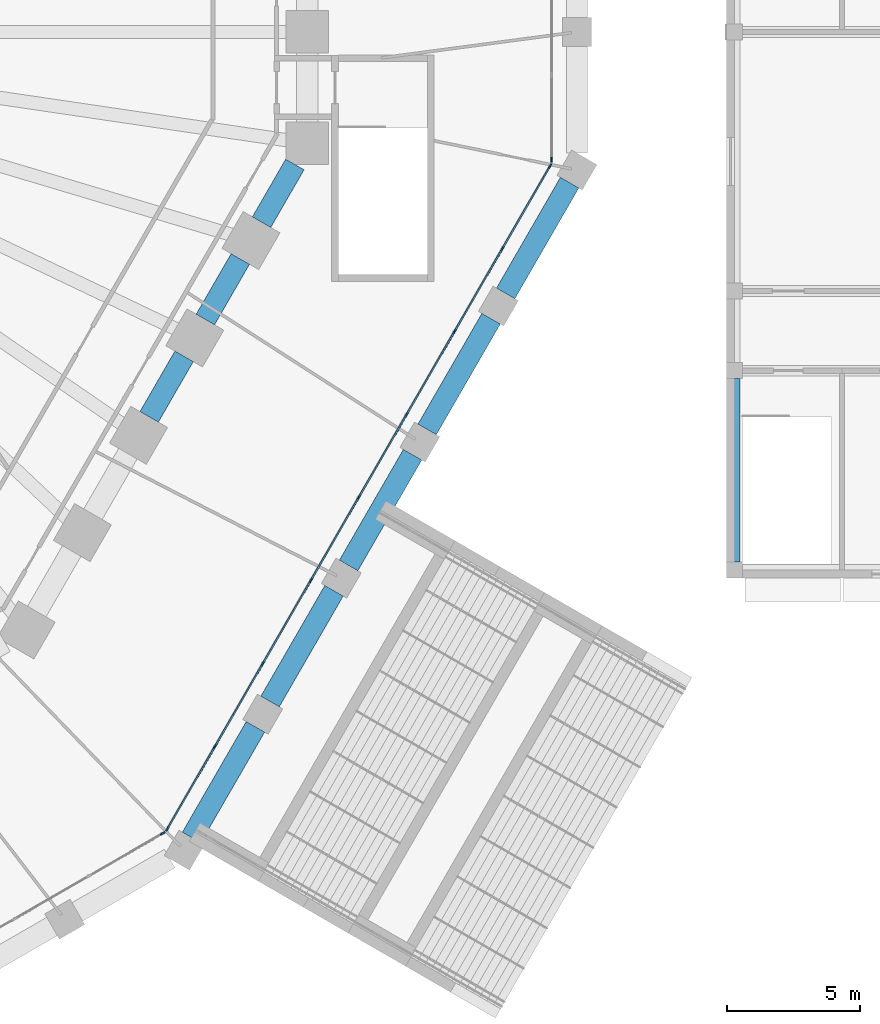
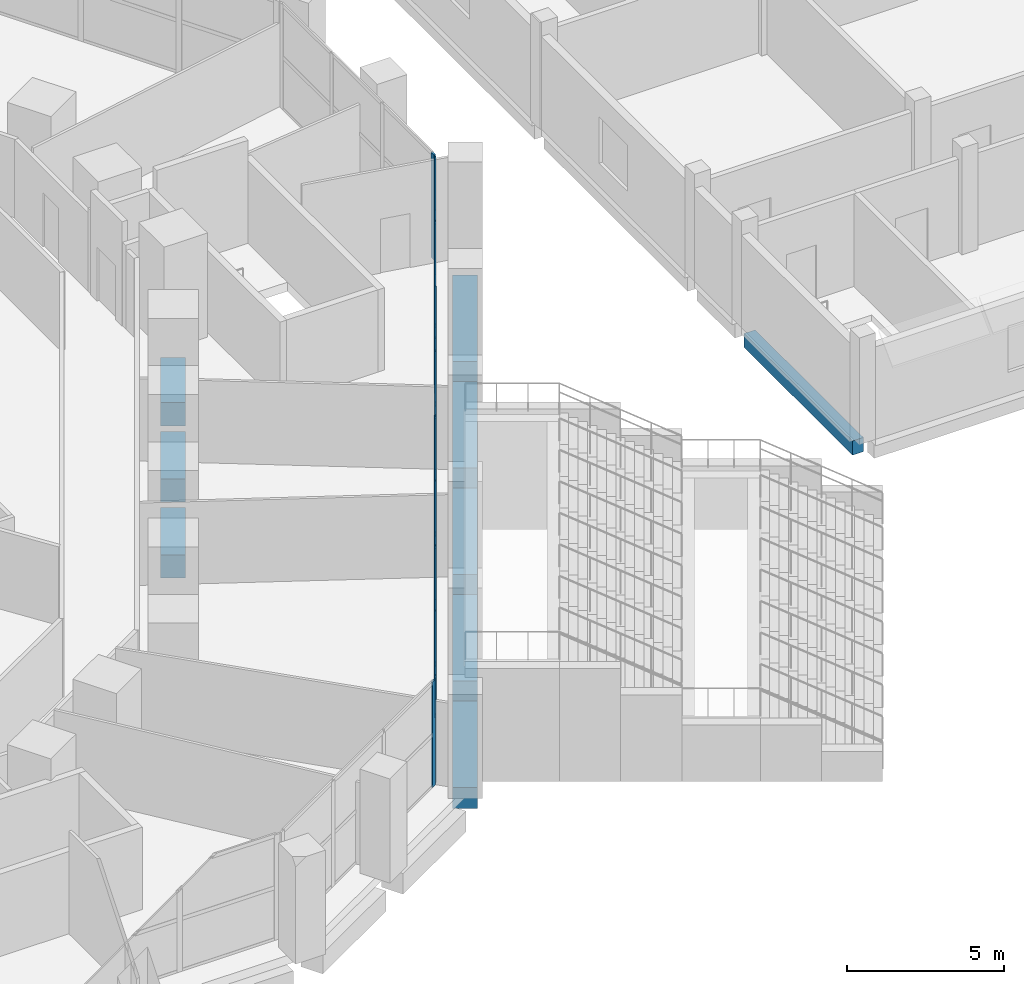
# One storey, part 9 of 38: 35 members, 9 beams, 3 elements without a shape of their own.
"""IFC4 building model written with IfcOpenShell, lengths in metres."""

import ifcopenshell
import ifcopenshell.guid

model = None  # the IFC model being written
_history = None  # IfcOwnerHistory: only IFC2X3 demands one
_inside = {}  # id of a spatial element -> (the spatial element, [elements in it])
_under = {}  # id of a project, library or spatial element -> (it, [spatial elements below it])
_declared = {}  # id of a project -> (the project, [libraries it declares])
_typed = {}  # id of a type object -> (the type object, [elements of that type])
_made_of = {}  # id of a material, layer set ... -> (it, [elements and type objects made of it])


def new_model(schema):
    """Start an empty IFC model of exactly this schema.

    Asked for "IFC4X3", IfcOpenShell would pick the latest addendum, in which some entities
    have other attributes; the version numbers below select the first issue.
    IFC2X3 requires an IfcOwnerHistory on every rooted entity: one is made here for all.
    """
    global model, _history
    if schema == "IFC4X3":
        model = ifcopenshell.file(schema_version=(4, 3, 0, 0))
    else:
        model = ifcopenshell.file(schema=schema)
    _inside.clear()
    _under.clear()
    _declared.clear()
    _typed.clear()
    _made_of.clear()
    _history = None
    if model.schema == "IFC2X3":
        org = make("IfcOrganization", Name="unknown")
        user = make(
            "IfcPersonAndOrganization",
            ThePerson=make("IfcPerson", FamilyName="unknown"),
            TheOrganization=org,
        )
        app = make(
            "IfcApplication",
            ApplicationDeveloper=org,
            Version="unknown",
            ApplicationFullName="unknown",
            ApplicationIdentifier="unknown",
        )
        _history = make(
            "IfcOwnerHistory",
            OwningUser=user,
            OwningApplication=app,
            ChangeAction="ADDED",
            CreationDate=0,
        )
    return model


def make(cls, **values):
    """One entity of the class cls with the attributes given. An attribute that is None is left unset."""
    return model.create_entity(
        cls, **{name: value for name, value in values.items() if value is not None}
    )


def rooted(cls, **values):
    """An entity with a GlobalId (a new one), such as an element, a storey or a relation."""
    return make(cls, GlobalId=ifcopenshell.guid.new(), OwnerHistory=_history, **values)


def si_unit(unit_type, name, prefix=None):
    """IfcSIUnit, for example si_unit("LENGTHUNIT", "METRE", prefix="MILLI")."""
    return make("IfcSIUnit", UnitType=unit_type, Prefix=prefix, Name=name)


def assignment(units):
    """IfcUnitAssignment: the units of a project."""
    return None if units is None else make("IfcUnitAssignment", Units=units)


def point(xyz):
    """IfcCartesianPoint."""
    return None if xyz is None else make("IfcCartesianPoint", Coordinates=xyz)


def direction(xyz):
    """IfcDirection."""
    return None if xyz is None else make("IfcDirection", DirectionRatios=xyz)


def frame(location, z_axis=None, x_axis=None):
    """IfcAxis2Placement3D, a coordinate frame: its origin and axes. An axis left out is left unset."""
    return make(
        "IfcAxis2Placement3D",
        Location=point(location),
        Axis=direction(z_axis),
        RefDirection=direction(x_axis),
    )


def frame_2d(location, x_axis=None):
    """IfcAxis2Placement2D, a coordinate frame in the plane: its origin and x axis."""
    return make(
        "IfcAxis2Placement2D", Location=point(location), RefDirection=direction(x_axis)
    )


def origin():
    """The frame at (0, 0, 0) with its axes left unset."""
    return frame((0.0, 0.0, 0.0))


def origin_2d():
    """The frame at (0, 0) in the plane with its x axis left unset."""
    return frame_2d((0.0, 0.0))


def place(relative_to, where):
    """IfcLocalPlacement: puts the frame where relative to a parent placement (None: the world)."""
    return make(
        "IfcLocalPlacement", PlacementRelTo=relative_to, RelativePlacement=where
    )


def context(
    kind, dimensions, precision=None, world=None, true_north=None, identifier=None
):
    """IfcGeometricRepresentationContext, for example the 3D "Model" context."""
    return make(
        "IfcGeometricRepresentationContext",
        ContextIdentifier=identifier,
        ContextType=kind,
        CoordinateSpaceDimension=dimensions,
        Precision=precision,
        WorldCoordinateSystem=world,
        TrueNorth=true_north,
    )


def subcontext(parent, identifier, kind, view, scale=None):
    """IfcGeometricRepresentationSubContext, for example "Body" below "Model"."""
    return make(
        "IfcGeometricRepresentationSubContext",
        ContextIdentifier=identifier,
        ContextType=kind,
        ParentContext=parent,
        TargetScale=scale,
        TargetView=view,
    )


def project(units=None, contexts=None):
    """IfcProject with its units and contexts."""
    return rooted(
        "IfcProject",
        Name="project",
        RepresentationContexts=contexts,
        UnitsInContext=assignment(units),
    )


def spatial(cls, under=None, at=None, **own):
    """A site, building, storey or space (cls), placed at a placement, below another one or the project."""
    s = rooted(cls, ObjectPlacement=at, **own)
    if under is not None:
        _under.setdefault(under.id(), (under, []))[1].append(s)
    return s


def profile(cls, at=None, kind="AREA", **sizes):
    """A parametric profile (cls). Its sizes go by their IFC names, for example OverallWidth=200.0."""
    return make(cls, ProfileType=kind, Position=at, **sizes)


def rectangle(**sizes):
    """IfcRectangleProfileDef."""
    return profile("IfcRectangleProfileDef", **sizes)


def extrude(swept, where, along, depth):
    """IfcExtrudedAreaSolid: the profile swept, set in the frame where, extruded along a direction by depth."""
    return make(
        "IfcExtrudedAreaSolid",
        SweptArea=swept,
        Position=where,
        ExtrudedDirection=direction(along),
        Depth=depth,
    )


def shape(context_of_items, identifier, shape_type, items):
    """IfcShapeRepresentation: the items that make up one representation, for example the "Body"."""
    return make(
        "IfcShapeRepresentation",
        ContextOfItems=context_of_items,
        RepresentationIdentifier=identifier,
        RepresentationType=shape_type,
        Items=items,
    )


def material(Name=None, Category=None):
    """IfcMaterial."""
    return make("IfcMaterial", Name=Name, Category=Category)


def material_profile(
    of_material, cross_section, Name=None, Category=None, Priority=None
):
    """IfcMaterialProfile: a cross section and its material."""
    return make(
        "IfcMaterialProfile",
        Name=Name,
        Material=of_material,
        Profile=cross_section,
        Priority=Priority,
        Category=Category,
    )


def profile_set(profiles, Name=None, composite=None):
    """IfcMaterialProfileSet."""
    return make(
        "IfcMaterialProfileSet",
        Name=Name,
        MaterialProfiles=profiles,
        CompositeProfile=composite,
    )


def made_of(thing, what):
    """Note that an element or type object is made of a material, layer set ...; save() writes the relation."""
    if what is not None:
        _made_of.setdefault(what.id(), (what, []))[1].append(thing)
    return thing


def type_object(cls, material=None, **own):
    """A type object (cls), such as IfcWallType, which elements share."""
    return made_of(rooted(cls, **own), material)


def element(
    cls,
    number,
    at=None,
    inside=None,
    cuts=None,
    type_object=None,
    material=None,
    context=None,
    identifier="Body",
    shape_type=None,
    held_by="IfcProductDefinitionShape",
    body=None,
    shapes=None,
    **own,
):
    """One element of the class cls, such as IfcWall. Its Tag is "e" and its number.

    at: its placement. inside: the storey or other place that contains it. cuts: it is an
    opening in that element (IfcRelVoidsElement). A single representation is given by context,
    identifier, shape_type and body (its items); several are given by shapes. held_by: the class
    of the entity that holds the representations. save() writes the other relations.
    """
    e = rooted(cls, Tag="e%d" % number, ObjectPlacement=at, **own)
    if body is not None:
        shapes = [shape(context, identifier, shape_type, body)]
    if shapes is not None:
        e.Representation = make(held_by, Representations=shapes)
    if inside is not None:
        _inside.setdefault(inside.id(), (inside, []))[1].append(e)
    if cuts is not None:
        rooted(
            "IfcRelVoidsElement", RelatingBuildingElement=cuts, RelatedOpeningElement=e
        )
    if type_object is not None:
        _typed.setdefault(type_object.id(), (type_object, []))[1].append(e)
    return made_of(e, material)


def aggregate(whole, parts):
    """IfcRelAggregates: a whole, such as a stair, and the parts it consists of."""
    return rooted("IfcRelAggregates", RelatingObject=whole, RelatedObjects=parts)


def save(model, path):
    """Write the relations noted so far, then the file.

    IfcRelAggregates (storeys below a building ...), IfcRelContainedInSpatialStructure (elements
    in a storey), IfcRelDefinesByType, IfcRelAssociatesMaterial and IfcRelDeclares: one each for
    every whole, place, type object, material and project.
    """
    for whole, parts in _under.values():
        aggregate(whole, parts)
    for where, things in _inside.values():
        rooted(
            "IfcRelContainedInSpatialStructure",
            RelatedElements=things,
            RelatingStructure=where,
        )
    for kind, things in _typed.values():
        rooted("IfcRelDefinesByType", RelatedObjects=things, RelatingType=kind)
    for what, things in _made_of.values():
        rooted("IfcRelAssociatesMaterial", RelatedObjects=things, RelatingMaterial=what)
    for by, libraries in _declared.values():
        rooted("IfcRelDeclares", RelatingContext=by, RelatedDefinitions=libraries)
    model.write(path)


model = new_model("IFC4")

# Units and contexts
model_context = context("Model", 3, precision=1e-05, world=origin(), true_north=direction((0.0, 1.0)))
body_context = subcontext(model_context, "Body", "Model", "MODEL_VIEW")
ifc_project = project(units=[si_unit("LENGTHUNIT", "METRE"), si_unit("AREAUNIT", "SQUARE_METRE"), si_unit("VOLUMEUNIT", "CUBIC_METRE"), si_unit("PLANEANGLEUNIT", "RADIAN"), si_unit("MASSUNIT", "GRAM", prefix="KILO")], contexts=[model_context])

# Site, building, storey
site_placement = place(None, origin())
site = spatial("IfcSite", under=ifc_project, at=site_placement, CompositionType="ELEMENT")
building_placement = place(site_placement, origin())
building = spatial("IfcBuilding", under=site, at=building_placement, Name="Frailejon Research Tower", CompositionType="ELEMENT")
storey_placement = place(building_placement, frame((0.0, 0.0, 10.199951171875)))
storey = spatial("IfcBuildingStorey", under=building, at=storey_placement, Name="L02", CompositionType="ELEMENT", Elevation=10.199951171875)

# Beams
ifc_material_1 = material(Name="Concrete C60/75", Category="concrete")
ifc_material_profile_1 = material_profile(ifc_material_1, rectangle(XDim=0.800048828125, YDim=0.800048828125, at=origin_2d()), Name="Base ring beam")
ifc_profile_set_1 = profile_set([ifc_material_profile_1], Name="Concrete C60/75")
beam_type_1 = type_object("IfcBeamType", Name="Base ring beam", PredefinedType="BEAM", material=ifc_profile_set_1)
beam_1_placement = place(storey_placement, frame((24.0595703125, -30.327392578125, -0.75), z_axis=(0.500028306193, 0.866009060579, 0.0), x_axis=(-0.866009060579, 0.500028306193, 0.0)))
element("IfcBeam", 1, at=beam_1_placement, inside=storey, type_object=beam_type_1, Name="Base ring beam", PredefinedType="BEAM", context=body_context, shape_type="SweptSolid", body=[
    extrude(rectangle(XDim=0.800048828125, YDim=0.800048828125, at=origin_2d()), origin(), (0.0, 0.0, 1.0), 4.813720703125),
])
for number, where, z_axis, x_axis, name in (
    (2, (27.0166015625, -25.2060546875, -0.75), (0.50000634465, 0.866021740668, 0.0), (-0.866021740668, 0.50000634465, 0.0), "Base ring beam"),
    (3, (29.973388671875, -20.08447265625, -0.75), (0.50000634465, 0.866021740668, 0.0), (-0.866021740668, 0.50000634465, 0.0), "Base ring beam"),
    (4, (32.930419921875, -14.962890625, -0.75), (0.50000634465, 0.866021740668, 0.0), (-0.866021740668, 0.50000634465, 0.0), "Base ring beam"),
):
    element("IfcBeam", number, at=place(storey_placement, frame(where, z_axis=z_axis, x_axis=x_axis)), inside=storey, type_object=beam_type_1, Name=name, PredefinedType="BEAM", context=body_context, shape_type="SweptSolid", body=[
        extrude(rectangle(XDim=0.800048828125, YDim=0.800048828125, at=origin_2d()), origin(), (0.0, 0.0, 1.0), 4.81396484375),
    ])
beam_2_placement = place(storey_placement, frame((35.88720703125, -9.84130859375, -0.75), z_axis=(0.500028306193, 0.866009060579, 0.0), x_axis=(-0.866009060579, 0.500028306193, 0.0)))
element("IfcBeam", 5, at=beam_2_placement, inside=storey, type_object=beam_type_1, Name="Base ring beam", PredefinedType="BEAM", context=body_context, shape_type="SweptSolid", body=[
    extrude(rectangle(XDim=0.800048828125, YDim=0.800048828125, at=origin_2d()), origin(), (0.0, 0.0, 1.0), 4.813720703125),
])
ifc_material_2 = material(Name="Concrete C35/45", Category="concrete")
ifc_material_profile_2 = material_profile(ifc_material_2, rectangle(XDim=0.39990234375, YDim=0.550048828125, at=origin_2d()), Name="HC floor beam 400x550")
ifc_profile_set_2 = profile_set([ifc_material_profile_2], Name="Concrete C35/45")
beam_type_2 = type_object("IfcBeamType", Name="HC floor beam 400x550", PredefinedType="BEAM", material=ifc_profile_set_2)
beam_3_placement = place(storey_placement, frame((44.5, -19.949951171875, -0.52490234375), z_axis=(0.0, 1.0, 0.0), x_axis=(-1.0, 0.0, 0.0)))
element("IfcBeam", 6, at=beam_3_placement, inside=storey, type_object=beam_type_2, Name="HC floor beam", PredefinedType="BEAM", context=body_context, shape_type="SweptSolid", body=[
    extrude(rectangle(XDim=0.39990234375, YDim=0.550048828125, at=origin_2d()), origin(), (0.0, 0.0, 1.0), 6.89990234375),
])
ifc_material_3 = material(Name="Concrete C60/75", Category="concrete")
ifc_material_profile_3 = material_profile(ifc_material_3, rectangle(XDim=0.800048828125, YDim=0.89990234375, at=origin_2d()), Name="Podium ring beam")
ifc_profile_set_3 = profile_set([ifc_material_profile_3], Name="Concrete C60/75")
beam_type_3 = type_object("IfcBeamType", Name="Podium ring beam", PredefinedType="BEAM", material=ifc_profile_set_3)
beam_4_placement = place(storey_placement, frame((22.46484375, -14.48974609375, -0.800048828125), z_axis=(0.500019514865, 0.866014136579, 0.0), x_axis=(-0.866014136579, 0.500019514865, 0.0)))
element("IfcBeam", 7, at=beam_4_placement, inside=storey, type_object=beam_type_3, Name="Podium ring beam", PredefinedType="BEAM", context=body_context, shape_type="SweptSolid", body=[
    extrude(rectangle(XDim=0.800048828125, YDim=0.89990234375, at=origin_2d()), origin(), (0.0, 0.0, 1.0), 2.63232421875),
])
beam_5_placement = place(storey_placement, frame((24.580810546875, -10.82470703125, -0.800048828125), z_axis=(0.499990112884, 0.866031112038, 0.0), x_axis=(-0.866031112038, 0.499990112884, 0.0)))
element("IfcBeam", 8, at=beam_5_placement, inside=storey, type_object=beam_type_3, Name="Podium ring beam", PredefinedType="BEAM", context=body_context, shape_type="SweptSolid", body=[
    extrude(rectangle(XDim=0.800048828125, YDim=0.89990234375, at=origin_2d()), origin(), (0.0, 0.0, 1.0), 2.6318359375),
])
beam_6_placement = place(storey_placement, frame((26.69677734375, -7.15966796875, -0.800048828125), z_axis=(0.500022970635, 0.866012141276, 0.0), x_axis=(-0.866012141276, 0.500022970635, 0.0)))
element("IfcBeam", 9, at=beam_6_placement, inside=storey, type_object=beam_type_3, Name="Podium ring beam", PredefinedType="BEAM", context=body_context, shape_type="SweptSolid", body=[
    extrude(rectangle(XDim=0.800048828125, YDim=0.89990234375, at=origin_2d()), origin(), (0.0, 0.0, 1.0), 2.50830078125),
])

# Curtain wall, member
ifc_material_4 = material(Name="Aluminium curtain wall", Category="aluminium")
curtain_wall_type = type_object("IfcCurtainWallType", Name="Podium stick curtain wall system", PredefinedType="NOTDEFINED", material=ifc_material_4)
curtain_wall_1_placement = place(storey_placement, origin())
curtain_wall_1 = element("IfcCurtainWall", 10, at=curtain_wall_1_placement, inside=storey, type_object=curtain_wall_type, Name="Curtain wall L02", PredefinedType="NOTDEFINED")
ifc_material_5 = material(Name="Aluminium extrusion", Category="aluminium")
ifc_material_profile_4 = material_profile(ifc_material_5, rectangle(XDim=0.06005859375, YDim=0.199951171875, at=origin_2d()), Name="Podium stick curtain wall mullion 60x200")
ifc_profile_set_4 = profile_set([ifc_material_profile_4], Name="Aluminium extrusion")
member_type_1 = type_object("IfcMemberType", Name="Podium stick curtain wall mullion 60x200", PredefinedType="MULLION", material=ifc_profile_set_4)
member_1_placement = place(storey_placement, frame((37.619140625, -4.8115234375, 0.0), z_axis=(0.0, 0.0, 1.0), x_axis=(-1.0, 0.0, 0.0)))
member_1 = element("IfcMember", 11, at=member_1_placement, type_object=member_type_1, Name="CW2-033 mullion 1", PredefinedType="MULLION", context=body_context, shape_type="SweptSolid", body=[
    extrude(rectangle(XDim=0.06005859375, YDim=0.199951171875, at=origin_2d()), origin(), (0.0, 0.0, 1.0), 4.10009765625),
])
aggregate(curtain_wall_1, [member_1])

curtain_wall_2_placement = place(storey_placement, origin())
curtain_wall_2 = element("IfcCurtainWall", 12, at=curtain_wall_2_placement, inside=storey, type_object=curtain_wall_type, Name="Curtain wall L02", PredefinedType="NOTDEFINED")
member_2_placement = place(storey_placement, frame((22.9765625, -30.17333984375, 0.0), z_axis=(0.0, 0.0, 1.0), x_axis=(-0.499999874334, 0.866025476338, 0.0)))
member_2 = element("IfcMember", 13, at=member_2_placement, type_object=member_type_1, Name="CW2-043 mullion 4", PredefinedType="MULLION", context=body_context, shape_type="SweptSolid", body=[
    extrude(rectangle(XDim=0.06005859375, YDim=0.199951171875, at=origin_2d()), origin(), (0.0, 0.0, 1.0), 4.10009765625),
])
aggregate(curtain_wall_2, [member_2])

# Curtain wall, members
curtain_wall_3_placement = place(storey_placement, origin())
curtain_wall_3 = element("IfcCurtainWall", 14, at=curtain_wall_3_placement, inside=storey, type_object=curtain_wall_type, Name="Curtain wall L02", PredefinedType="NOTDEFINED")
member_3_placement = place(storey_placement, frame((23.154296875, -29.995849609375, 0.0), z_axis=(0.0, 0.0, 1.0), x_axis=(-0.86602632934, 0.499998396888, 0.0)))
member_3 = element("IfcMember", 15, at=member_3_placement, type_object=member_type_1, Name="CW2-044 mullion 1", PredefinedType="MULLION", context=body_context, shape_type="SweptSolid", body=[
    extrude(rectangle(XDim=0.06005859375, YDim=0.199951171875, at=origin_2d()), origin(), (0.0, 0.0, 1.0), 4.10009765625),
])
member_4_placement = place(storey_placement, frame((24.94287109375, -26.897705078125, 0.0), z_axis=(0.0, 0.0, 1.0), x_axis=(-0.86602632934, 0.499998396888, 0.0)))
member_4 = element("IfcMember", 16, at=member_4_placement, type_object=member_type_1, Name="CW2-044 mullion 2", PredefinedType="MULLION", context=body_context, shape_type="SweptSolid", body=[
    extrude(rectangle(XDim=0.06005859375, YDim=0.199951171875, at=origin_2d()), origin(), (0.0, 0.0, 1.0), 4.10009765625),
])
member_5_placement = place(storey_placement, frame((26.74658203125, -23.7734375, 0.0), z_axis=(0.0, 0.0, 1.0), x_axis=(-0.86602632934, 0.499998396888, 0.0)))
member_5 = element("IfcMember", 17, at=member_5_placement, type_object=member_type_1, Name="CW2-044 mullion 3", PredefinedType="MULLION", context=body_context, shape_type="SweptSolid", body=[
    extrude(rectangle(XDim=0.06005859375, YDim=0.199951171875, at=origin_2d()), origin(), (0.0, 0.0, 1.0), 4.10009765625),
])
member_6_placement = place(storey_placement, frame((28.550537109375, -20.649169921875, 0.0), z_axis=(0.0, 0.0, 1.0), x_axis=(-0.86602632934, 0.499998396888, 0.0)))
member_6 = element("IfcMember", 18, at=member_6_placement, type_object=member_type_1, Name="CW2-044 mullion 4", PredefinedType="MULLION", context=body_context, shape_type="SweptSolid", body=[
    extrude(rectangle(XDim=0.06005859375, YDim=0.199951171875, at=origin_2d()), origin(), (0.0, 0.0, 1.0), 4.10009765625),
])
member_7_placement = place(storey_placement, frame((30.354248046875, -17.52490234375, 0.0), z_axis=(0.0, 0.0, 1.0), x_axis=(-0.86602632934, 0.499998396888, 0.0)))
member_7 = element("IfcMember", 19, at=member_7_placement, type_object=member_type_1, Name="CW2-044 mullion 5", PredefinedType="MULLION", context=body_context, shape_type="SweptSolid", body=[
    extrude(rectangle(XDim=0.06005859375, YDim=0.199951171875, at=origin_2d()), origin(), (0.0, 0.0, 1.0), 4.10009765625),
])
member_8_placement = place(storey_placement, frame((32.157958984375, -14.40087890625, 0.0), z_axis=(0.0, 0.0, 1.0), x_axis=(-0.86602632934, 0.499998396888, 0.0)))
member_8 = element("IfcMember", 20, at=member_8_placement, type_object=member_type_1, Name="CW2-044 mullion 6", PredefinedType="MULLION", context=body_context, shape_type="SweptSolid", body=[
    extrude(rectangle(XDim=0.06005859375, YDim=0.199951171875, at=origin_2d()), origin(), (0.0, 0.0, 1.0), 4.10009765625),
])
member_9_placement = place(storey_placement, frame((33.961669921875, -11.276611328125, 0.0), z_axis=(0.0, 0.0, 1.0), x_axis=(-0.86602632934, 0.499998396888, 0.0)))
member_9 = element("IfcMember", 21, at=member_9_placement, type_object=member_type_1, Name="CW2-044 mullion 7", PredefinedType="MULLION", context=body_context, shape_type="SweptSolid", body=[
    extrude(rectangle(XDim=0.06005859375, YDim=0.199951171875, at=origin_2d()), origin(), (0.0, 0.0, 1.0), 4.10009765625),
])
member_10_placement = place(storey_placement, frame((35.765380859375, -8.15234375, 0.0), z_axis=(0.0, 0.0, 1.0), x_axis=(-0.86602632934, 0.499998396888, 0.0)))
member_10 = element("IfcMember", 22, at=member_10_placement, type_object=member_type_1, Name="CW2-044 mullion 8", PredefinedType="MULLION", context=body_context, shape_type="SweptSolid", body=[
    extrude(rectangle(XDim=0.06005859375, YDim=0.199951171875, at=origin_2d()), origin(), (0.0, 0.0, 1.0), 4.10009765625),
])
member_11_placement = place(storey_placement, frame((37.55419921875, -5.05419921875, 0.0), z_axis=(0.0, 0.0, 1.0), x_axis=(-0.86602632934, 0.499998396888, 0.0)))
member_11 = element("IfcMember", 23, at=member_11_placement, type_object=member_type_1, Name="CW2-044 mullion 9", PredefinedType="MULLION", context=body_context, shape_type="SweptSolid", body=[
    extrude(rectangle(XDim=0.06005859375, YDim=0.199951171875, at=origin_2d()), origin(), (0.0, 0.0, 1.0), 4.10009765625),
])
ifc_material_6 = material(Name="Aluminium extrusion", Category="aluminium")
ifc_material_profile_5 = material_profile(ifc_material_6, rectangle(XDim=0.06005859375, YDim=0.14990234375, at=origin_2d()), Name="Podium stick curtain wall transom 60x150")
ifc_profile_set_5 = profile_set([ifc_material_profile_5], Name="Aluminium extrusion")
member_type_2 = type_object("IfcMemberType", Name="Podium stick curtain wall transom 60x150", PredefinedType="USERDEFINED", material=ifc_profile_set_5)
member_12_placement = place(storey_placement, frame((23.169189453125, -29.9697265625, 0.030029296875), z_axis=(0.500020858477, 0.866013360802, 0.0), x_axis=(-0.866013360802, 0.500020858477, 0.0)))
member_12 = element("IfcMember", 24, at=member_12_placement, type_object=member_type_2, Name="CW2-044 transom 1.1", ObjectType="TRANSOM", PredefinedType="USERDEFINED", context=body_context, shape_type="SweptSolid", body=[
    extrude(rectangle(XDim=0.06005859375, YDim=0.14990234375, at=origin_2d()), origin(), (0.0, 0.0, 1.0), 3.517333984375),
])
member_13_placement = place(storey_placement, frame((23.169189453125, -29.9697265625, 2.050048828125), z_axis=(0.500020858477, 0.866013360802, 0.0), x_axis=(-0.866013360802, 0.500020858477, 0.0)))
member_13 = element("IfcMember", 25, at=member_13_placement, type_object=member_type_2, Name="CW2-044 transom 1.2", ObjectType="TRANSOM", PredefinedType="USERDEFINED", context=body_context, shape_type="SweptSolid", body=[
    extrude(rectangle(XDim=0.06005859375, YDim=0.14990234375, at=origin_2d()), origin(), (0.0, 0.0, 1.0), 3.517333984375),
])
member_14_placement = place(storey_placement, frame((23.169189453125, -29.9697265625, 4.070068359375), z_axis=(0.500020858477, 0.866013360802, 0.0), x_axis=(-0.866013360802, 0.500020858477, 0.0)))
member_14 = element("IfcMember", 26, at=member_14_placement, type_object=member_type_2, Name="CW2-044 transom 1.3", ObjectType="TRANSOM", PredefinedType="USERDEFINED", context=body_context, shape_type="SweptSolid", body=[
    extrude(rectangle(XDim=0.06005859375, YDim=0.14990234375, at=origin_2d()), origin(), (0.0, 0.0, 1.0), 3.517333984375),
])
member_15_placement = place(storey_placement, frame((24.9580078125, -26.87158203125, 0.030029296875), z_axis=(0.499980603476, 0.866036602083, 0.0), x_axis=(-0.866036602083, 0.499980603476, 0.0)))
member_15 = element("IfcMember", 27, at=member_15_placement, type_object=member_type_2, Name="CW2-044 transom 2.1", ObjectType="TRANSOM", PredefinedType="USERDEFINED", context=body_context, shape_type="SweptSolid", body=[
    extrude(rectangle(XDim=0.06005859375, YDim=0.14990234375, at=origin_2d()), origin(), (0.0, 0.0, 1.0), 3.547607421875),
])
member_16_placement = place(storey_placement, frame((24.9580078125, -26.87158203125, 2.050048828125), z_axis=(0.499980603476, 0.866036602083, 0.0), x_axis=(-0.866036602083, 0.499980603476, 0.0)))
member_16 = element("IfcMember", 28, at=member_16_placement, type_object=member_type_2, Name="CW2-044 transom 2.2", ObjectType="TRANSOM", PredefinedType="USERDEFINED", context=body_context, shape_type="SweptSolid", body=[
    extrude(rectangle(XDim=0.06005859375, YDim=0.14990234375, at=origin_2d()), origin(), (0.0, 0.0, 1.0), 3.547607421875),
])
member_17_placement = place(storey_placement, frame((24.9580078125, -26.87158203125, 4.070068359375), z_axis=(0.499980603476, 0.866036602083, 0.0), x_axis=(-0.866036602083, 0.499980603476, 0.0)))
member_17 = element("IfcMember", 29, at=member_17_placement, type_object=member_type_2, Name="CW2-044 transom 2.3", ObjectType="TRANSOM", PredefinedType="USERDEFINED", context=body_context, shape_type="SweptSolid", body=[
    extrude(rectangle(XDim=0.06005859375, YDim=0.14990234375, at=origin_2d()), origin(), (0.0, 0.0, 1.0), 3.547607421875),
])
member_18_placement = place(storey_placement, frame((26.76171875, -23.747314453125, 0.030029296875), z_axis=(0.500010404316, 0.866019396766, 0.0), x_axis=(-0.866019396766, 0.500010404316, 0.0)))
member_18 = element("IfcMember", 30, at=member_18_placement, type_object=member_type_2, Name="CW2-044 transom 3.1", ObjectType="TRANSOM", PredefinedType="USERDEFINED", context=body_context, shape_type="SweptSolid", body=[
    extrude(rectangle(XDim=0.06005859375, YDim=0.14990234375, at=origin_2d()), origin(), (0.0, 0.0, 1.0), 3.54736328125),
])
member_19_placement = place(storey_placement, frame((26.76171875, -23.747314453125, 2.050048828125), z_axis=(0.500010404316, 0.866019396766, 0.0), x_axis=(-0.866019396766, 0.500010404316, 0.0)))
member_19 = element("IfcMember", 31, at=member_19_placement, type_object=member_type_2, Name="CW2-044 transom 3.2", ObjectType="TRANSOM", PredefinedType="USERDEFINED", context=body_context, shape_type="SweptSolid", body=[
    extrude(rectangle(XDim=0.06005859375, YDim=0.14990234375, at=origin_2d()), origin(), (0.0, 0.0, 1.0), 3.54736328125),
])
member_20_placement = place(storey_placement, frame((26.76171875, -23.747314453125, 4.070068359375), z_axis=(0.500010404316, 0.866019396766, 0.0), x_axis=(-0.866019396766, 0.500010404316, 0.0)))
member_20 = element("IfcMember", 32, at=member_20_placement, type_object=member_type_2, Name="CW2-044 transom 3.3", ObjectType="TRANSOM", PredefinedType="USERDEFINED", context=body_context, shape_type="SweptSolid", body=[
    extrude(rectangle(XDim=0.06005859375, YDim=0.14990234375, at=origin_2d()), origin(), (0.0, 0.0, 1.0), 3.54736328125),
])
member_21_placement = place(storey_placement, frame((28.5654296875, -20.623291015625, 0.030029296875), z_axis=(0.499980603476, 0.866036602083, 0.0), x_axis=(-0.866036602083, 0.499980603476, 0.0)))
member_21 = element("IfcMember", 33, at=member_21_placement, type_object=member_type_2, Name="CW2-044 transom 4.1", ObjectType="TRANSOM", PredefinedType="USERDEFINED", context=body_context, shape_type="SweptSolid", body=[
    extrude(rectangle(XDim=0.06005859375, YDim=0.14990234375, at=origin_2d()), origin(), (0.0, 0.0, 1.0), 3.547607421875),
])
member_22_placement = place(storey_placement, frame((28.5654296875, -20.623291015625, 2.050048828125), z_axis=(0.499980603476, 0.866036602083, 0.0), x_axis=(-0.866036602083, 0.499980603476, 0.0)))
member_22 = element("IfcMember", 34, at=member_22_placement, type_object=member_type_2, Name="CW2-044 transom 4.2", ObjectType="TRANSOM", PredefinedType="USERDEFINED", context=body_context, shape_type="SweptSolid", body=[
    extrude(rectangle(XDim=0.06005859375, YDim=0.14990234375, at=origin_2d()), origin(), (0.0, 0.0, 1.0), 3.547607421875),
])
member_23_placement = place(storey_placement, frame((28.5654296875, -20.623291015625, 4.070068359375), z_axis=(0.499980603476, 0.866036602083, 0.0), x_axis=(-0.866036602083, 0.499980603476, 0.0)))
member_23 = element("IfcMember", 35, at=member_23_placement, type_object=member_type_2, Name="CW2-044 transom 4.3", ObjectType="TRANSOM", PredefinedType="USERDEFINED", context=body_context, shape_type="SweptSolid", body=[
    extrude(rectangle(XDim=0.06005859375, YDim=0.14990234375, at=origin_2d()), origin(), (0.0, 0.0, 1.0), 3.547607421875),
])
member_24_placement = place(storey_placement, frame((30.369140625, -17.4990234375, 0.030029296875), z_axis=(0.500032217487, 0.86600680221, 0.0), x_axis=(-0.86600680221, 0.500032217487, 0.0)))
member_24 = element("IfcMember", 36, at=member_24_placement, type_object=member_type_2, Name="CW2-044 transom 5.1", ObjectType="TRANSOM", PredefinedType="USERDEFINED", context=body_context, shape_type="SweptSolid", body=[
    extrude(rectangle(XDim=0.06005859375, YDim=0.14990234375, at=origin_2d()), origin(), (0.0, 0.0, 1.0), 3.547607421875),
])
member_25_placement = place(storey_placement, frame((30.369140625, -17.4990234375, 2.050048828125), z_axis=(0.500032217487, 0.86600680221, 0.0), x_axis=(-0.86600680221, 0.500032217487, 0.0)))
member_25 = element("IfcMember", 37, at=member_25_placement, type_object=member_type_2, Name="CW2-044 transom 5.2", ObjectType="TRANSOM", PredefinedType="USERDEFINED", context=body_context, shape_type="SweptSolid", body=[
    extrude(rectangle(XDim=0.06005859375, YDim=0.14990234375, at=origin_2d()), origin(), (0.0, 0.0, 1.0), 3.547607421875),
])
member_26_placement = place(storey_placement, frame((30.369140625, -17.4990234375, 4.070068359375), z_axis=(0.500032217487, 0.86600680221, 0.0), x_axis=(-0.86600680221, 0.500032217487, 0.0)))
member_26 = element("IfcMember", 38, at=member_26_placement, type_object=member_type_2, Name="CW2-044 transom 5.3", ObjectType="TRANSOM", PredefinedType="USERDEFINED", context=body_context, shape_type="SweptSolid", body=[
    extrude(rectangle(XDim=0.06005859375, YDim=0.14990234375, at=origin_2d()), origin(), (0.0, 0.0, 1.0), 3.547607421875),
])
member_27_placement = place(storey_placement, frame((32.1728515625, -14.374755859375, 0.030029296875), z_axis=(0.500032217487, 0.86600680221, 0.0), x_axis=(-0.86600680221, 0.500032217487, 0.0)))
member_27 = element("IfcMember", 39, at=member_27_placement, type_object=member_type_2, Name="CW2-044 transom 6.1", ObjectType="TRANSOM", PredefinedType="USERDEFINED", context=body_context, shape_type="SweptSolid", body=[
    extrude(rectangle(XDim=0.06005859375, YDim=0.14990234375, at=origin_2d()), origin(), (0.0, 0.0, 1.0), 3.547607421875),
])
member_28_placement = place(storey_placement, frame((32.1728515625, -14.374755859375, 2.050048828125), z_axis=(0.500032217487, 0.86600680221, 0.0), x_axis=(-0.86600680221, 0.500032217487, 0.0)))
member_28 = element("IfcMember", 40, at=member_28_placement, type_object=member_type_2, Name="CW2-044 transom 6.2", ObjectType="TRANSOM", PredefinedType="USERDEFINED", context=body_context, shape_type="SweptSolid", body=[
    extrude(rectangle(XDim=0.06005859375, YDim=0.14990234375, at=origin_2d()), origin(), (0.0, 0.0, 1.0), 3.547607421875),
])
member_29_placement = place(storey_placement, frame((32.1728515625, -14.374755859375, 4.070068359375), z_axis=(0.500032217487, 0.86600680221, 0.0), x_axis=(-0.86600680221, 0.500032217487, 0.0)))
member_29 = element("IfcMember", 41, at=member_29_placement, type_object=member_type_2, Name="CW2-044 transom 6.3", ObjectType="TRANSOM", PredefinedType="USERDEFINED", context=body_context, shape_type="SweptSolid", body=[
    extrude(rectangle(XDim=0.06005859375, YDim=0.14990234375, at=origin_2d()), origin(), (0.0, 0.0, 1.0), 3.547607421875),
])
member_30_placement = place(storey_placement, frame((33.976806640625, -11.250732421875, 0.030029296875), z_axis=(0.499980603476, 0.866036602083, 0.0), x_axis=(-0.866036602083, 0.499980603476, 0.0)))
member_30 = element("IfcMember", 42, at=member_30_placement, type_object=member_type_2, Name="CW2-044 transom 7.1", ObjectType="TRANSOM", PredefinedType="USERDEFINED", context=body_context, shape_type="SweptSolid", body=[
    extrude(rectangle(XDim=0.06005859375, YDim=0.14990234375, at=origin_2d()), origin(), (0.0, 0.0, 1.0), 3.547607421875),
])
member_31_placement = place(storey_placement, frame((33.976806640625, -11.250732421875, 2.050048828125), z_axis=(0.499980603476, 0.866036602083, 0.0), x_axis=(-0.866036602083, 0.499980603476, 0.0)))
member_31 = element("IfcMember", 43, at=member_31_placement, type_object=member_type_2, Name="CW2-044 transom 7.2", ObjectType="TRANSOM", PredefinedType="USERDEFINED", context=body_context, shape_type="SweptSolid", body=[
    extrude(rectangle(XDim=0.06005859375, YDim=0.14990234375, at=origin_2d()), origin(), (0.0, 0.0, 1.0), 3.547607421875),
])
member_32_placement = place(storey_placement, frame((33.976806640625, -11.250732421875, 4.070068359375), z_axis=(0.499980603476, 0.866036602083, 0.0), x_axis=(-0.866036602083, 0.499980603476, 0.0)))
member_32 = element("IfcMember", 44, at=member_32_placement, type_object=member_type_2, Name="CW2-044 transom 7.3", ObjectType="TRANSOM", PredefinedType="USERDEFINED", context=body_context, shape_type="SweptSolid", body=[
    extrude(rectangle(XDim=0.06005859375, YDim=0.14990234375, at=origin_2d()), origin(), (0.0, 0.0, 1.0), 3.547607421875),
])
member_33_placement = place(storey_placement, frame((35.780517578125, -8.12646484375, 0.030029296875), z_axis=(0.499990804263, 0.866030712881, 0.0), x_axis=(-0.866030712881, 0.499990804263, 0.0)))
member_33 = element("IfcMember", 45, at=member_33_placement, type_object=member_type_2, Name="CW2-044 transom 8.1", ObjectType="TRANSOM", PredefinedType="USERDEFINED", context=body_context, shape_type="SweptSolid", body=[
    extrude(rectangle(XDim=0.06005859375, YDim=0.14990234375, at=origin_2d()), origin(), (0.0, 0.0, 1.0), 3.517578125),
])
member_34_placement = place(storey_placement, frame((35.780517578125, -8.12646484375, 2.050048828125), z_axis=(0.499990804263, 0.866030712881, 0.0), x_axis=(-0.866030712881, 0.499990804263, 0.0)))
member_34 = element("IfcMember", 46, at=member_34_placement, type_object=member_type_2, Name="CW2-044 transom 8.2", ObjectType="TRANSOM", PredefinedType="USERDEFINED", context=body_context, shape_type="SweptSolid", body=[
    extrude(rectangle(XDim=0.06005859375, YDim=0.14990234375, at=origin_2d()), origin(), (0.0, 0.0, 1.0), 3.517578125),
])
member_35_placement = place(storey_placement, frame((35.780517578125, -8.12646484375, 4.070068359375), z_axis=(0.499990804263, 0.866030712881, 0.0), x_axis=(-0.866030712881, 0.499990804263, 0.0)))
member_35 = element("IfcMember", 47, at=member_35_placement, type_object=member_type_2, Name="CW2-044 transom 8.3", ObjectType="TRANSOM", PredefinedType="USERDEFINED", context=body_context, shape_type="SweptSolid", body=[
    extrude(rectangle(XDim=0.06005859375, YDim=0.14990234375, at=origin_2d()), origin(), (0.0, 0.0, 1.0), 3.517578125),
])
aggregate(curtain_wall_3, [member_3, member_4, member_5, member_6, member_7, member_8, member_9, member_10, member_11, member_12, member_13, member_14, member_15, member_16, member_17, member_18, member_19, member_20, member_21, member_22, member_23, member_24, member_25, member_26, member_27, member_28, member_29, member_30, member_31, member_32, member_33, member_34, member_35])

save(model, "model.ifc")
